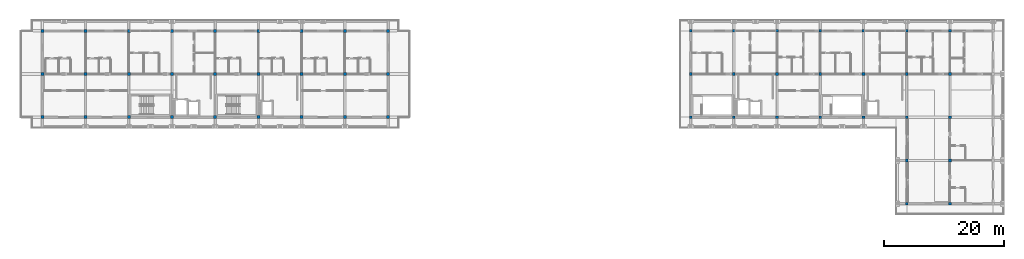
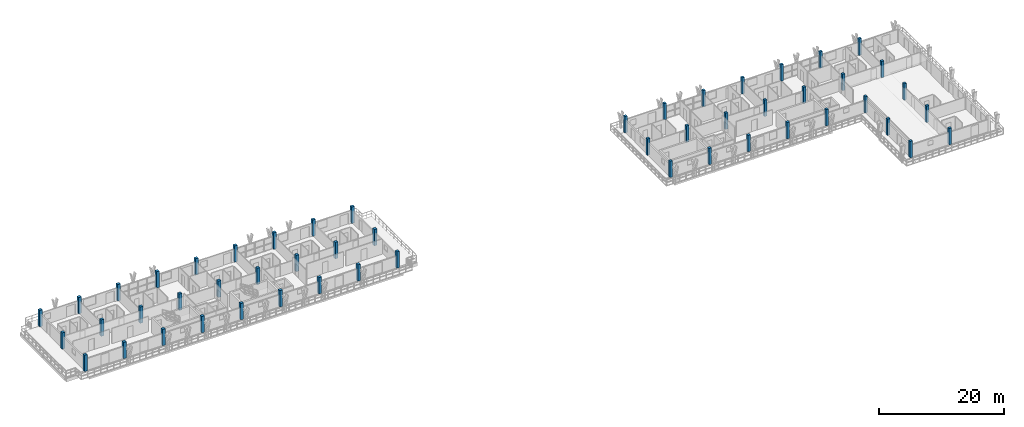
# One storey, part 1 of 32: 52 columns.
"""IFC4 building model written with IfcOpenShell, lengths in metres."""

from ifc_helpers import new_model, si_unit, direction, frame, origin, origin_2d, place, context, subcontext, project, spatial, rectangle, extrude, material, material_profile, profile_set, type_object, element, save


model = new_model("IFC4")

# Units and contexts
model_context = context("Model", 3, precision=1e-05, world=origin(), true_north=direction((0.0, 1.0)))
body_context = subcontext(model_context, "Body", "Model", "MODEL_VIEW")
ifc_project = project(units=[si_unit("LENGTHUNIT", "METRE"), si_unit("AREAUNIT", "SQUARE_METRE"), si_unit("VOLUMEUNIT", "CUBIC_METRE"), si_unit("PLANEANGLEUNIT", "RADIAN"), si_unit("MASSUNIT", "GRAM", prefix="KILO")], contexts=[model_context])

# Site, building, storey
site_placement = place(None, origin())
site = spatial("IfcSite", under=ifc_project, at=site_placement, CompositionType="ELEMENT")
building_placement = place(site_placement, origin())
building = spatial("IfcBuilding", under=site, at=building_placement, Name="Suanplinth Sawtooth Commons", CompositionType="ELEMENT")
storey_placement = place(building_placement, frame((0.0, 0.0, 41.199951171875)))
storey = spatial("IfcBuildingStorey", under=building, at=storey_placement, Name="L12", CompositionType="ELEMENT", Elevation=41.199951171875)

# Columns
ifc_material = material(Name="Precast concrete C40/50", Category="concrete")
ifc_material_profile_1 = material_profile(ifc_material, rectangle(XDim=0.5, YDim=0.5, at=origin_2d()), Name="PC-COL 500x500")
ifc_profile_set_1 = profile_set([ifc_material_profile_1], Name="Precast concrete C40/50")
column_type_1 = type_object("IfcColumnType", Name="C-06", PredefinedType="COLUMN", material=ifc_profile_set_1)
for number, where, z_axis, x_axis, name in (
    (1, (28.800048828125, 108.0, 0.0), (0.0, 0.0, 1.0), (1.0, 0.0, 0.0), "Column L12 5/R"),
    (2, (28.800048828125, 115.199951171875, 0.0), (0.0, 0.0, 1.0), (1.0, 0.0, 0.0), "Column L12 5/S"),
    (3, (28.800048828125, 122.39990234375, 0.0), (0.0, 0.0, 1.0), (1.0, 0.0, 0.0), "Column L12 5/T"),
    (4, (36.0, 108.0, 0.0), (0.0, 0.0, 1.0), (1.0, 0.0, 0.0), "Column L12 6/R"),
    (5, (36.0, 115.199951171875, 0.0), (0.0, 0.0, 1.0), (1.0, 0.0, 0.0), "Column L12 6/S"),
    (6, (36.0, 122.39990234375, 0.0), (0.0, 0.0, 1.0), (1.0, 0.0, 0.0), "Column L12 6/T"),
    (7, (43.199951171875, 108.0, 0.0), (0.0, 0.0, 1.0), (1.0, 0.0, 0.0), "Column L12 7/R"),
    (8, (43.199951171875, 115.199951171875, 0.0), (0.0, 0.0, 1.0), (1.0, 0.0, 0.0), "Column L12 7/S"),
    (9, (43.199951171875, 122.39990234375, 0.0), (0.0, 0.0, 1.0), (1.0, 0.0, 0.0), "Column L12 7/T"),
    (10, (50.39990234375, 108.0, 0.0), (0.0, 0.0, 1.0), (1.0, 0.0, 0.0), "Column L12 8/R"),
    (11, (50.39990234375, 115.199951171875, 0.0), (0.0, 0.0, 1.0), (1.0, 0.0, 0.0), "Column L12 8/S"),
    (12, (50.39990234375, 122.39990234375, 0.0), (0.0, 0.0, 1.0), (1.0, 0.0, 0.0), "Column L12 8/T"),
    (13, (57.60009765625, 108.0, 0.0), (0.0, 0.0, 1.0), (1.0, 0.0, 0.0), "Column L12 9/R"),
    (14, (57.60009765625, 115.199951171875, 0.0), (0.0, 0.0, 1.0), (1.0, 0.0, 0.0), "Column L12 9/S"),
    (15, (57.60009765625, 122.39990234375, 0.0), (0.0, 0.0, 1.0), (1.0, 0.0, 0.0), "Column L12 9/T"),
    (16, (64.800048828125, 108.0, 0.0), (0.0, 0.0, 1.0), (1.0, 0.0, 0.0), "Column L12 10/R"),
    (17, (64.800048828125, 115.199951171875, 0.0), (0.0, 0.0, 1.0), (1.0, 0.0, 0.0), "Column L12 10/S"),
    (18, (64.800048828125, 122.39990234375, 0.0), (0.0, 0.0, 1.0), (1.0, 0.0, 0.0), "Column L12 10/T"),
    (19, (72.0, 108.0, 0.0), (0.0, 0.0, 1.0), (1.0, 0.0, 0.0), "Column L12 11/R"),
    (20, (72.0, 115.199951171875, 0.0), (0.0, 0.0, 1.0), (1.0, 0.0, 0.0), "Column L12 11/S"),
    (21, (72.0, 122.39990234375, 0.0), (0.0, 0.0, 1.0), (1.0, 0.0, 0.0), "Column L12 11/T"),
    (22, (79.199951171875, 108.0, 0.0), (0.0, 0.0, 1.0), (1.0, 0.0, 0.0), "Column L12 12/R"),
    (23, (79.199951171875, 115.199951171875, 0.0), (0.0, 0.0, 1.0), (1.0, 0.0, 0.0), "Column L12 12/S"),
    (24, (79.199951171875, 122.39990234375, 0.0), (0.0, 0.0, 1.0), (1.0, 0.0, 0.0), "Column L12 12/T"),
    (25, (86.39990234375, 108.0, 0.0), (0.0, 0.0, 1.0), (1.0, 0.0, 0.0), "Column L12 13/R"),
    (26, (86.39990234375, 115.199951171875, 0.0), (0.0, 0.0, 1.0), (1.0, 0.0, 0.0), "Column L12 13/S"),
    (27, (86.39990234375, 122.39990234375, 0.0), (0.0, 0.0, 1.0), (1.0, 0.0, 0.0), "Column L12 13/T"),
):
    element("IfcColumn", number, at=place(storey_placement, frame(where, z_axis=z_axis, x_axis=x_axis)), inside=storey, type_object=column_type_1, Name=name, PredefinedType="COLUMN", context=body_context, shape_type="SweptSolid", body=[
        extrude(rectangle(XDim=0.5, YDim=0.5, at=origin_2d()), origin(), (0.0, 0.0, 1.0), 3.199951171875),
    ])
ifc_material_profile_2 = material_profile(ifc_material, rectangle(XDim=0.449951171875, YDim=0.449951171875, at=origin_2d()), Name="PC-COL 450x450")
ifc_profile_set_2 = profile_set([ifc_material_profile_2], Name="Precast concrete C40/50")
column_type_2 = type_object("IfcColumnType", Name="C-07", PredefinedType="COLUMN", material=ifc_profile_set_2)
for number, where, z_axis, x_axis, name in (
    (28, (136.800048828125, 108.0, 0.0), (0.0, 0.0, 1.0), (1.0, 0.0, 0.0), "Column L12 20/R"),
    (29, (136.800048828125, 115.199951171875, 0.0), (0.0, 0.0, 1.0), (1.0, 0.0, 0.0), "Column L12 20/S"),
    (30, (136.800048828125, 122.39990234375, 0.0), (0.0, 0.0, 1.0), (1.0, 0.0, 0.0), "Column L12 20/T"),
    (31, (144.0, 108.0, 0.0), (0.0, 0.0, 1.0), (1.0, 0.0, 0.0), "Column L12 21/R"),
    (32, (144.0, 115.199951171875, 0.0), (0.0, 0.0, 1.0), (1.0, 0.0, 0.0), "Column L12 21/S"),
    (33, (144.0, 122.39990234375, 0.0), (0.0, 0.0, 1.0), (1.0, 0.0, 0.0), "Column L12 21/T"),
    (34, (151.199951171875, 108.0, 0.0), (0.0, 0.0, 1.0), (1.0, 0.0, 0.0), "Column L12 22/R"),
    (35, (151.199951171875, 115.199951171875, 0.0), (0.0, 0.0, 1.0), (1.0, 0.0, 0.0), "Column L12 22/S"),
    (36, (151.199951171875, 122.39990234375, 0.0), (0.0, 0.0, 1.0), (1.0, 0.0, 0.0), "Column L12 22/T"),
    (37, (158.39990234375, 108.0, 0.0), (0.0, 0.0, 1.0), (1.0, 0.0, 0.0), "Column L12 23/R"),
    (38, (158.39990234375, 115.199951171875, 0.0), (0.0, 0.0, 1.0), (1.0, 0.0, 0.0), "Column L12 23/S"),
    (39, (158.39990234375, 122.39990234375, 0.0), (0.0, 0.0, 1.0), (1.0, 0.0, 0.0), "Column L12 23/T"),
    (40, (165.60009765625, 108.0, 0.0), (0.0, 0.0, 1.0), (1.0, 0.0, 0.0), "Column L12 24/R"),
    (41, (165.60009765625, 115.199951171875, 0.0), (0.0, 0.0, 1.0), (1.0, 0.0, 0.0), "Column L12 24/S"),
    (42, (165.60009765625, 122.39990234375, 0.0), (0.0, 0.0, 1.0), (1.0, 0.0, 0.0), "Column L12 24/T"),
    (43, (172.800048828125, 93.60009765625, 0.0), (0.0, 0.0, 1.0), (1.0, 0.0, 0.0), "Column L12 25/P"),
    (44, (172.800048828125, 100.800048828125, 0.0), (0.0, 0.0, 1.0), (1.0, 0.0, 0.0), "Column L12 25/Q"),
    (45, (172.800048828125, 108.0, 0.0), (0.0, 0.0, 1.0), (1.0, 0.0, 0.0), "Column L12 25/R"),
    (46, (172.800048828125, 115.199951171875, 0.0), (0.0, 0.0, 1.0), (1.0, 0.0, 0.0), "Column L12 25/S"),
    (47, (172.800048828125, 122.39990234375, 0.0), (0.0, 0.0, 1.0), (1.0, 0.0, 0.0), "Column L12 25/T"),
    (48, (180.0, 93.60009765625, 0.0), (0.0, 0.0, 1.0), (1.0, 0.0, 0.0), "Column L12 26/P"),
    (49, (180.0, 100.800048828125, 0.0), (0.0, 0.0, 1.0), (1.0, 0.0, 0.0), "Column L12 26/Q"),
    (50, (180.0, 108.0, 0.0), (0.0, 0.0, 1.0), (1.0, 0.0, 0.0), "Column L12 26/R"),
    (51, (180.0, 115.199951171875, 0.0), (0.0, 0.0, 1.0), (1.0, 0.0, 0.0), "Column L12 26/S"),
    (52, (180.0, 122.39990234375, 0.0), (0.0, 0.0, 1.0), (1.0, 0.0, 0.0), "Column L12 26/T"),
):
    element("IfcColumn", number, at=place(storey_placement, frame(where, z_axis=z_axis, x_axis=x_axis)), inside=storey, type_object=column_type_2, Name=name, PredefinedType="COLUMN", context=body_context, shape_type="SweptSolid", body=[
        extrude(rectangle(XDim=0.449951171875, YDim=0.449951171875, at=origin_2d()), origin(), (0.0, 0.0, 1.0), 3.199951171875),
    ])

save(model, "model.ifc")
